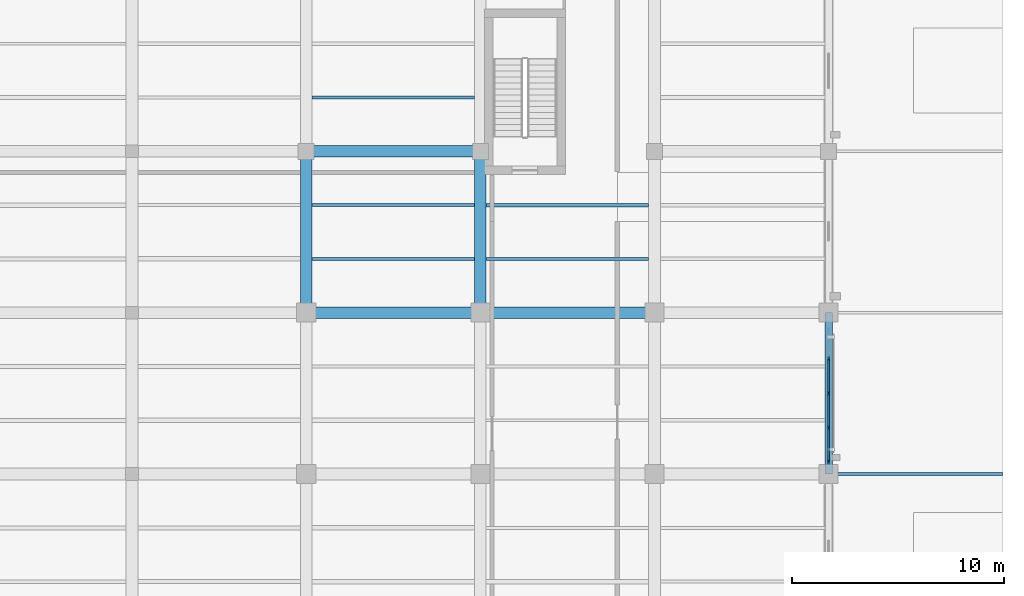
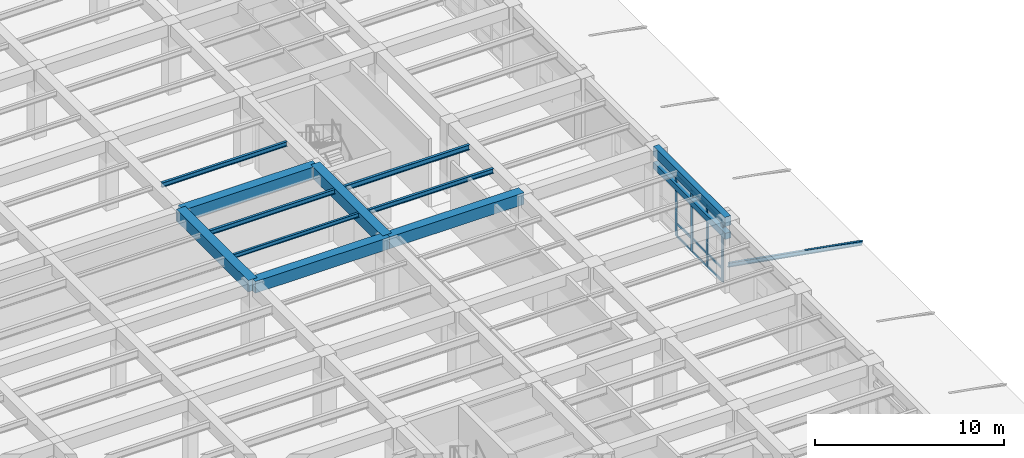
# One storey, part 23 of 57: 14 members, 12 beams, 1 element without a shape of its own.
"""IFC4 building model written with IfcOpenShell, lengths in metres."""

import ifcopenshell
import ifcopenshell.guid

model = None  # the IFC model being written
_history = None  # IfcOwnerHistory: only IFC2X3 demands one
_inside = {}  # id of a spatial element -> (the spatial element, [elements in it])
_under = {}  # id of a project, library or spatial element -> (it, [spatial elements below it])
_declared = {}  # id of a project -> (the project, [libraries it declares])
_typed = {}  # id of a type object -> (the type object, [elements of that type])
_made_of = {}  # id of a material, layer set ... -> (it, [elements and type objects made of it])


def new_model(schema):
    """Start an empty IFC model of exactly this schema.

    Asked for "IFC4X3", IfcOpenShell would pick the latest addendum, in which some entities
    have other attributes; the version numbers below select the first issue.
    IFC2X3 requires an IfcOwnerHistory on every rooted entity: one is made here for all.
    """
    global model, _history
    if schema == "IFC4X3":
        model = ifcopenshell.file(schema_version=(4, 3, 0, 0))
    else:
        model = ifcopenshell.file(schema=schema)
    _inside.clear()
    _under.clear()
    _declared.clear()
    _typed.clear()
    _made_of.clear()
    _history = None
    if model.schema == "IFC2X3":
        org = make("IfcOrganization", Name="unknown")
        user = make(
            "IfcPersonAndOrganization",
            ThePerson=make("IfcPerson", FamilyName="unknown"),
            TheOrganization=org,
        )
        app = make(
            "IfcApplication",
            ApplicationDeveloper=org,
            Version="unknown",
            ApplicationFullName="unknown",
            ApplicationIdentifier="unknown",
        )
        _history = make(
            "IfcOwnerHistory",
            OwningUser=user,
            OwningApplication=app,
            ChangeAction="ADDED",
            CreationDate=0,
        )
    return model


def make(cls, **values):
    """One entity of the class cls with the attributes given. An attribute that is None is left unset."""
    return model.create_entity(
        cls, **{name: value for name, value in values.items() if value is not None}
    )


def rooted(cls, **values):
    """An entity with a GlobalId (a new one), such as an element, a storey or a relation."""
    return make(cls, GlobalId=ifcopenshell.guid.new(), OwnerHistory=_history, **values)


def si_unit(unit_type, name, prefix=None):
    """IfcSIUnit, for example si_unit("LENGTHUNIT", "METRE", prefix="MILLI")."""
    return make("IfcSIUnit", UnitType=unit_type, Prefix=prefix, Name=name)


def assignment(units):
    """IfcUnitAssignment: the units of a project."""
    return None if units is None else make("IfcUnitAssignment", Units=units)


def point(xyz):
    """IfcCartesianPoint."""
    return None if xyz is None else make("IfcCartesianPoint", Coordinates=xyz)


def direction(xyz):
    """IfcDirection."""
    return None if xyz is None else make("IfcDirection", DirectionRatios=xyz)


def frame(location, z_axis=None, x_axis=None):
    """IfcAxis2Placement3D, a coordinate frame: its origin and axes. An axis left out is left unset."""
    return make(
        "IfcAxis2Placement3D",
        Location=point(location),
        Axis=direction(z_axis),
        RefDirection=direction(x_axis),
    )


def frame_2d(location, x_axis=None):
    """IfcAxis2Placement2D, a coordinate frame in the plane: its origin and x axis."""
    return make(
        "IfcAxis2Placement2D", Location=point(location), RefDirection=direction(x_axis)
    )


def origin():
    """The frame at (0, 0, 0) with its axes left unset."""
    return frame((0.0, 0.0, 0.0))


def origin_2d():
    """The frame at (0, 0) in the plane with its x axis left unset."""
    return frame_2d((0.0, 0.0))


def place(relative_to, where):
    """IfcLocalPlacement: puts the frame where relative to a parent placement (None: the world)."""
    return make(
        "IfcLocalPlacement", PlacementRelTo=relative_to, RelativePlacement=where
    )


def context(
    kind, dimensions, precision=None, world=None, true_north=None, identifier=None
):
    """IfcGeometricRepresentationContext, for example the 3D "Model" context."""
    return make(
        "IfcGeometricRepresentationContext",
        ContextIdentifier=identifier,
        ContextType=kind,
        CoordinateSpaceDimension=dimensions,
        Precision=precision,
        WorldCoordinateSystem=world,
        TrueNorth=true_north,
    )


def subcontext(parent, identifier, kind, view, scale=None):
    """IfcGeometricRepresentationSubContext, for example "Body" below "Model"."""
    return make(
        "IfcGeometricRepresentationSubContext",
        ContextIdentifier=identifier,
        ContextType=kind,
        ParentContext=parent,
        TargetScale=scale,
        TargetView=view,
    )


def project(units=None, contexts=None):
    """IfcProject with its units and contexts."""
    return rooted(
        "IfcProject",
        Name="project",
        RepresentationContexts=contexts,
        UnitsInContext=assignment(units),
    )


def spatial(cls, under=None, at=None, **own):
    """A site, building, storey or space (cls), placed at a placement, below another one or the project."""
    s = rooted(cls, ObjectPlacement=at, **own)
    if under is not None:
        _under.setdefault(under.id(), (under, []))[1].append(s)
    return s


def profile(cls, at=None, kind="AREA", **sizes):
    """A parametric profile (cls). Its sizes go by their IFC names, for example OverallWidth=200.0."""
    return make(cls, ProfileType=kind, Position=at, **sizes)


def rectangle(**sizes):
    """IfcRectangleProfileDef."""
    return profile("IfcRectangleProfileDef", **sizes)


def i_section(**sizes):
    """IfcIShapeProfileDef."""
    return profile("IfcIShapeProfileDef", **sizes)


def extrude(swept, where, along, depth):
    """IfcExtrudedAreaSolid: the profile swept, set in the frame where, extruded along a direction by depth."""
    return make(
        "IfcExtrudedAreaSolid",
        SweptArea=swept,
        Position=where,
        ExtrudedDirection=direction(along),
        Depth=depth,
    )


def shape(context_of_items, identifier, shape_type, items):
    """IfcShapeRepresentation: the items that make up one representation, for example the "Body"."""
    return make(
        "IfcShapeRepresentation",
        ContextOfItems=context_of_items,
        RepresentationIdentifier=identifier,
        RepresentationType=shape_type,
        Items=items,
    )


def material(Name=None, Category=None):
    """IfcMaterial."""
    return make("IfcMaterial", Name=Name, Category=Category)


def material_profile(
    of_material, cross_section, Name=None, Category=None, Priority=None
):
    """IfcMaterialProfile: a cross section and its material."""
    return make(
        "IfcMaterialProfile",
        Name=Name,
        Material=of_material,
        Profile=cross_section,
        Priority=Priority,
        Category=Category,
    )


def profile_set(profiles, Name=None, composite=None):
    """IfcMaterialProfileSet."""
    return make(
        "IfcMaterialProfileSet",
        Name=Name,
        MaterialProfiles=profiles,
        CompositeProfile=composite,
    )


def made_of(thing, what):
    """Note that an element or type object is made of a material, layer set ...; save() writes the relation."""
    if what is not None:
        _made_of.setdefault(what.id(), (what, []))[1].append(thing)
    return thing


def type_object(cls, material=None, **own):
    """A type object (cls), such as IfcWallType, which elements share."""
    return made_of(rooted(cls, **own), material)


def element(
    cls,
    number,
    at=None,
    inside=None,
    cuts=None,
    type_object=None,
    material=None,
    context=None,
    identifier="Body",
    shape_type=None,
    held_by="IfcProductDefinitionShape",
    body=None,
    shapes=None,
    **own,
):
    """One element of the class cls, such as IfcWall. Its Tag is "e" and its number.

    at: its placement. inside: the storey or other place that contains it. cuts: it is an
    opening in that element (IfcRelVoidsElement). A single representation is given by context,
    identifier, shape_type and body (its items); several are given by shapes. held_by: the class
    of the entity that holds the representations. save() writes the other relations.
    """
    e = rooted(cls, Tag="e%d" % number, ObjectPlacement=at, **own)
    if body is not None:
        shapes = [shape(context, identifier, shape_type, body)]
    if shapes is not None:
        e.Representation = make(held_by, Representations=shapes)
    if inside is not None:
        _inside.setdefault(inside.id(), (inside, []))[1].append(e)
    if cuts is not None:
        rooted(
            "IfcRelVoidsElement", RelatingBuildingElement=cuts, RelatedOpeningElement=e
        )
    if type_object is not None:
        _typed.setdefault(type_object.id(), (type_object, []))[1].append(e)
    return made_of(e, material)


def aggregate(whole, parts):
    """IfcRelAggregates: a whole, such as a stair, and the parts it consists of."""
    return rooted("IfcRelAggregates", RelatingObject=whole, RelatedObjects=parts)


def save(model, path):
    """Write the relations noted so far, then the file.

    IfcRelAggregates (storeys below a building ...), IfcRelContainedInSpatialStructure (elements
    in a storey), IfcRelDefinesByType, IfcRelAssociatesMaterial and IfcRelDeclares: one each for
    every whole, place, type object, material and project.
    """
    for whole, parts in _under.values():
        aggregate(whole, parts)
    for where, things in _inside.values():
        rooted(
            "IfcRelContainedInSpatialStructure",
            RelatedElements=things,
            RelatingStructure=where,
        )
    for kind, things in _typed.values():
        rooted("IfcRelDefinesByType", RelatedObjects=things, RelatingType=kind)
    for what, things in _made_of.values():
        rooted("IfcRelAssociatesMaterial", RelatedObjects=things, RelatingMaterial=what)
    for by, libraries in _declared.values():
        rooted("IfcRelDeclares", RelatingContext=by, RelatedDefinitions=libraries)
    model.write(path)


model = new_model("IFC4")

# Units and contexts
model_context = context("Model", 3, precision=1e-05, world=origin(), true_north=direction((0.0, 1.0)))
body_context = subcontext(model_context, "Body", "Model", "MODEL_VIEW")
ifc_project = project(units=[si_unit("LENGTHUNIT", "METRE"), si_unit("AREAUNIT", "SQUARE_METRE"), si_unit("VOLUMEUNIT", "CUBIC_METRE"), si_unit("PLANEANGLEUNIT", "RADIAN"), si_unit("MASSUNIT", "GRAM", prefix="KILO")], contexts=[model_context])

# Site, building, storey
site_placement = place(None, origin())
site = spatial("IfcSite", under=ifc_project, at=site_placement, CompositionType="ELEMENT")
building_placement = place(site_placement, origin())
building = spatial("IfcBuilding", under=site, at=building_placement, Name="Qandaris Square Conservatory and Botanical Centre", CompositionType="ELEMENT")
storey_placement = place(building_placement, frame((0.0, 0.0, 5.39990234375)))
storey = spatial("IfcBuildingStorey", under=building, at=storey_placement, Name="L01", CompositionType="ELEMENT", Elevation=5.39990234375)

# Beams
ifc_material_1 = material(Name="Steel S355", Category="steel")
ifc_material_profile_1 = material_profile(ifc_material_1, i_section(OverallWidth=0.14990234375, OverallDepth=0.300048828125, WebThickness=0.007080078125, FlangeThickness=0.0107421875, FilletRadius=0.014892578125, at=origin_2d()), Name="IPE 300")
ifc_profile_set_1 = profile_set([ifc_material_profile_1], Name="Steel S355")
beam_type_1 = type_object("IfcBeamType", Name="Composite Lab Joist IPE 300", PredefinedType="JOIST", material=ifc_profile_set_1)
for number, where, z_axis, x_axis, name in (
    (1, (139.47509765625, 67.2666015625, 4.360107421875), (1.0, 0.0, 0.0), (0.0, 1.0, 0.0), "L01 Composite Joist 1241"),
    (2, (139.47509765625, 72.333251953125, 4.360107421875), (1.0, 0.0, 0.0), (0.0, 1.0, 0.0), "L01 Composite Joist 1242"),
    (3, (147.675048828125, 64.7333984375, 4.360107421875), (1.0, 0.0, 0.0), (0.0, 1.0, 0.0), "L01 Composite Joist 1259"),
):
    element("IfcBeam", number, at=place(storey_placement, frame(where, z_axis=z_axis, x_axis=x_axis)), inside=storey, type_object=beam_type_1, Name=name, PredefinedType="JOIST", context=body_context, shape_type="SweptSolid", body=[
        extrude(i_section(OverallWidth=0.14990234375, OverallDepth=0.300048828125, WebThickness=0.007080078125, FlangeThickness=0.0107421875, FilletRadius=0.014892578125, at=origin_2d()), origin(), (0.0, 0.0, 1.0), 7.64990234375),
    ])
ifc_material_profile_2 = material_profile(ifc_material_1, i_section(OverallWidth=0.159912109375, OverallDepth=0.330078125, WebThickness=0.007568359375, FlangeThickness=0.011474609375, FilletRadius=0.01806640625, at=origin_2d()), Name="IPE 330")
ifc_profile_set_2 = profile_set([ifc_material_profile_2], Name="Steel S355")
beam_type_2 = type_object("IfcBeamType", Name="Composite Lab Joist IPE 330", PredefinedType="JOIST", material=ifc_profile_set_2)
beam_1_placement = place(storey_placement, frame((147.675048828125, 67.2666015625, 4.34521484375), z_axis=(1.0, 0.0, 0.0), x_axis=(0.0, 1.0, 0.0)))
element("IfcBeam", 4, at=beam_1_placement, inside=storey, type_object=beam_type_2, Name="L01 Composite Joist 1260", PredefinedType="JOIST", context=body_context, shape_type="SweptSolid", body=[
    extrude(i_section(OverallWidth=0.159912109375, OverallDepth=0.330078125, WebThickness=0.007568359375, FlangeThickness=0.011474609375, FilletRadius=0.01806640625, at=origin_2d()), origin(), (0.0, 0.0, 1.0), 7.64990234375),
])

# Curtain wall, members
ifc_material_2 = material(Name="Anodised Aluminium", Category="aluminium")
curtain_wall_type = type_object("IfcCurtainWallType", Name="Unitised Curtain Wall CW-4-650x394", PredefinedType="USERDEFINED", material=ifc_material_2)
curtain_wall_placement = place(storey_placement, origin())
curtain_wall = element("IfcCurtainWall", 5, at=curtain_wall_placement, inside=storey, type_object=curtain_wall_type, Name="Curtain Wall CW-TWR-L01-2-6", ObjectType="GLAZED CURTAIN WALL", PredefinedType="USERDEFINED")
ifc_material_profile_3 = material_profile(ifc_material_2, rectangle(XDim=0.06494140625, YDim=0.179931640625, at=origin_2d()), Name="ALU-MUL 65x180")
ifc_profile_set_3 = profile_set([ifc_material_profile_3], Name="Anodised Aluminium")
member_type_1 = type_object("IfcMemberType", Name="Curtain Wall Mullion 65x180", PredefinedType="MULLION", material=ifc_profile_set_3)
member_1_placement = place(storey_placement, frame((163.800048828125, 55.1826171875, 0.0), z_axis=(0.0, 0.0, 1.0), x_axis=(-1.0, 0.0, 0.0)))
member_1 = element("IfcMember", 6, at=member_1_placement, type_object=member_type_1, Name="CW-4-650x394 mullion 1", PredefinedType="MULLION", context=body_context, shape_type="SweptSolid", body=[
    extrude(rectangle(XDim=0.06494140625, YDim=0.179931640625, at=origin_2d()), origin(), (0.0, 0.0, 1.0), 3.945068359375),
])
member_2_placement = place(storey_placement, frame((163.800048828125, 56.77490234375, 0.0), z_axis=(0.0, 0.0, 1.0), x_axis=(-1.0, 0.0, 0.0)))
member_2 = element("IfcMember", 7, at=member_2_placement, type_object=member_type_1, Name="CW-4-650x394 mullion 2", PredefinedType="MULLION", context=body_context, shape_type="SweptSolid", body=[
    extrude(rectangle(XDim=0.06494140625, YDim=0.179931640625, at=origin_2d()), origin(), (0.0, 0.0, 1.0), 3.945068359375),
])
member_3_placement = place(storey_placement, frame((163.800048828125, 58.39990234375, 0.0), z_axis=(0.0, 0.0, 1.0), x_axis=(-1.0, 0.0, 0.0)))
member_3 = element("IfcMember", 8, at=member_3_placement, type_object=member_type_1, Name="CW-4-650x394 mullion 3", PredefinedType="MULLION", context=body_context, shape_type="SweptSolid", body=[
    extrude(rectangle(XDim=0.06494140625, YDim=0.179931640625, at=origin_2d()), origin(), (0.0, 0.0, 1.0), 3.945068359375),
])
member_4_placement = place(storey_placement, frame((163.800048828125, 60.02490234375, 0.0), z_axis=(0.0, 0.0, 1.0), x_axis=(-1.0, 0.0, 0.0)))
member_4 = element("IfcMember", 9, at=member_4_placement, type_object=member_type_1, Name="CW-4-650x394 mullion 4", PredefinedType="MULLION", context=body_context, shape_type="SweptSolid", body=[
    extrude(rectangle(XDim=0.06494140625, YDim=0.179931640625, at=origin_2d()), origin(), (0.0, 0.0, 1.0), 3.945068359375),
])
ifc_material_profile_4 = material_profile(ifc_material_2, rectangle(XDim=0.06494140625, YDim=0.139892578125, at=origin_2d()), Name="ALU-TRN 65x140")
ifc_profile_set_4 = profile_set([ifc_material_profile_4], Name="Anodised Aluminium")
member_type_2 = type_object("IfcMemberType", Name="Curtain Wall Transom 65x140", PredefinedType="USERDEFINED", material=ifc_profile_set_4)
member_5_placement = place(storey_placement, frame((163.800048828125, 55.215087890625, 0.03271484375), z_axis=(0.0, 1.0, 0.0), x_axis=(-1.0, 0.0, 0.0)))
member_5 = element("IfcMember", 10, at=member_5_placement, type_object=member_type_2, Name="CW-4-650x394 transom 1.1", ObjectType="TRANSOM", PredefinedType="USERDEFINED", context=body_context, shape_type="SweptSolid", body=[
    extrude(rectangle(XDim=0.06494140625, YDim=0.139892578125, at=origin_2d()), origin(), (0.0, 0.0, 1.0), 1.52734375),
])
member_6_placement = place(storey_placement, frame((163.800048828125, 55.215087890625, 0.85009765625), z_axis=(0.0, 1.0, 0.0), x_axis=(-1.0, 0.0, 0.0)))
member_6 = element("IfcMember", 11, at=member_6_placement, type_object=member_type_2, Name="CW-4-650x394 transom 1.2", ObjectType="TRANSOM", PredefinedType="USERDEFINED", context=body_context, shape_type="SweptSolid", body=[
    extrude(rectangle(XDim=0.06494140625, YDim=0.139892578125, at=origin_2d()), origin(), (0.0, 0.0, 1.0), 1.52734375),
])
member_7_placement = place(storey_placement, frame((163.800048828125, 55.215087890625, 3.91259765625), z_axis=(0.0, 1.0, 0.0), x_axis=(-1.0, 0.0, 0.0)))
member_7 = element("IfcMember", 12, at=member_7_placement, type_object=member_type_2, Name="CW-4-650x394 transom 1.3", ObjectType="TRANSOM", PredefinedType="USERDEFINED", context=body_context, shape_type="SweptSolid", body=[
    extrude(rectangle(XDim=0.06494140625, YDim=0.139892578125, at=origin_2d()), origin(), (0.0, 0.0, 1.0), 1.52734375),
])
member_8_placement = place(storey_placement, frame((163.800048828125, 56.8076171875, 0.03271484375), z_axis=(0.0, 1.0, 0.0), x_axis=(-1.0, 0.0, 0.0)))
member_8 = element("IfcMember", 13, at=member_8_placement, type_object=member_type_2, Name="CW-4-650x394 transom 2.1", ObjectType="TRANSOM", PredefinedType="USERDEFINED", context=body_context, shape_type="SweptSolid", body=[
    extrude(rectangle(XDim=0.06494140625, YDim=0.139892578125, at=origin_2d()), origin(), (0.0, 0.0, 1.0), 1.559814453125),
])
member_9_placement = place(storey_placement, frame((163.800048828125, 56.8076171875, 0.85009765625), z_axis=(0.0, 1.0, 0.0), x_axis=(-1.0, 0.0, 0.0)))
member_9 = element("IfcMember", 14, at=member_9_placement, type_object=member_type_2, Name="CW-4-650x394 transom 2.2", ObjectType="TRANSOM", PredefinedType="USERDEFINED", context=body_context, shape_type="SweptSolid", body=[
    extrude(rectangle(XDim=0.06494140625, YDim=0.139892578125, at=origin_2d()), origin(), (0.0, 0.0, 1.0), 1.559814453125),
])
member_10_placement = place(storey_placement, frame((163.800048828125, 56.8076171875, 3.91259765625), z_axis=(0.0, 1.0, 0.0), x_axis=(-1.0, 0.0, 0.0)))
member_10 = element("IfcMember", 15, at=member_10_placement, type_object=member_type_2, Name="CW-4-650x394 transom 2.3", ObjectType="TRANSOM", PredefinedType="USERDEFINED", context=body_context, shape_type="SweptSolid", body=[
    extrude(rectangle(XDim=0.06494140625, YDim=0.139892578125, at=origin_2d()), origin(), (0.0, 0.0, 1.0), 1.559814453125),
])
member_11_placement = place(storey_placement, frame((163.800048828125, 58.4326171875, 0.03271484375), z_axis=(0.0, 1.0, 0.0), x_axis=(-1.0, 0.0, 0.0)))
member_11 = element("IfcMember", 16, at=member_11_placement, type_object=member_type_2, Name="CW-4-650x394 transom 3.1", ObjectType="TRANSOM", PredefinedType="USERDEFINED", context=body_context, shape_type="SweptSolid", body=[
    extrude(rectangle(XDim=0.06494140625, YDim=0.139892578125, at=origin_2d()), origin(), (0.0, 0.0, 1.0), 1.559814453125),
])
member_12_placement = place(storey_placement, frame((163.800048828125, 58.4326171875, 0.85009765625), z_axis=(0.0, 1.0, 0.0), x_axis=(-1.0, 0.0, 0.0)))
member_12 = element("IfcMember", 17, at=member_12_placement, type_object=member_type_2, Name="CW-4-650x394 transom 3.2", ObjectType="TRANSOM", PredefinedType="USERDEFINED", context=body_context, shape_type="SweptSolid", body=[
    extrude(rectangle(XDim=0.06494140625, YDim=0.139892578125, at=origin_2d()), origin(), (0.0, 0.0, 1.0), 1.559814453125),
])
member_13_placement = place(storey_placement, frame((163.800048828125, 58.4326171875, 3.91259765625), z_axis=(0.0, 1.0, 0.0), x_axis=(-1.0, 0.0, 0.0)))
member_13 = element("IfcMember", 18, at=member_13_placement, type_object=member_type_2, Name="CW-4-650x394 transom 3.3", ObjectType="TRANSOM", PredefinedType="USERDEFINED", context=body_context, shape_type="SweptSolid", body=[
    extrude(rectangle(XDim=0.06494140625, YDim=0.139892578125, at=origin_2d()), origin(), (0.0, 0.0, 1.0), 1.559814453125),
])
aggregate(curtain_wall, [member_1, member_2, member_3, member_4, member_5, member_6, member_7, member_8, member_9, member_10, member_11, member_12, member_13])

# Beams
ifc_material_3 = material(Name="Precast concrete C40/50", Category="concrete")
ifc_material_profile_5 = material_profile(ifc_material_3, rectangle(XDim=0.35009765625, YDim=0.39990234375, at=origin_2d()), Name="RC-LN 350x400")
ifc_profile_set_5 = profile_set([ifc_material_profile_5], Name="Precast concrete C40/50")
beam_type_3 = type_object("IfcBeamType", Name="Precast Opening Lintel 350x400", PredefinedType="LINTEL", material=ifc_profile_set_5)
beam_2_placement = place(storey_placement, frame((163.800048828125, 54.60009765625, 3.320068359375), z_axis=(0.0, 1.0, 0.0), x_axis=(-1.0, 0.0, 0.0)))
element("IfcBeam", 19, at=beam_2_placement, inside=storey, type_object=beam_type_3, Name="Precast Lintel 019", PredefinedType="LINTEL", context=body_context, shape_type="SweptSolid", body=[
    extrude(rectangle(XDim=0.35009765625, YDim=0.39990234375, at=origin_2d()), origin(), (0.0, 0.0, 1.0), 7.599853515625),
])
ifc_material_4 = material(Name="Concrete C50/60", Category="concrete")
ifc_material_profile_6 = material_profile(ifc_material_4, rectangle(XDim=0.35009765625, YDim=0.60009765625, at=origin_2d()), Name="RC-SP 350x600")
ifc_profile_set_6 = profile_set([ifc_material_profile_6], Name="Concrete C50/60")
beam_type_4 = type_object("IfcBeamType", Name="RC Edge Spandrel Beam 350x600", PredefinedType="SPANDREL", material=ifc_profile_set_6)
beam_3_placement = place(storey_placement, frame((163.800048828125, 54.60009765625, 4.2451171875), z_axis=(0.0, 1.0, 0.0), x_axis=(-1.0, 0.0, 0.0)))
element("IfcBeam", 20, at=beam_3_placement, inside=storey, type_object=beam_type_4, Name="L01 Frame Beam 1148", PredefinedType="SPANDREL", context=body_context, shape_type="SweptSolid", body=[
    extrude(rectangle(XDim=0.35009765625, YDim=0.60009765625, at=origin_2d()), origin(), (0.0, 0.0, 1.0), 7.599853515625),
])
ifc_material_profile_7 = material_profile(ifc_material_4, rectangle(XDim=0.550048828125, YDim=0.75, at=origin_2d()), Name="RC-BM 550x750")
ifc_profile_set_7 = profile_set([ifc_material_profile_7], Name="Concrete C50/60")
beam_type_5 = type_object("IfcBeamType", Name="RC Plinth Girder 550x750", PredefinedType="BEAM", material=ifc_profile_set_7)
beam_4_placement = place(storey_placement, frame((139.199951171875, 62.199951171875, 4.14501953125), z_axis=(1.0, 0.0, 0.0), x_axis=(0.0, 1.0, 0.0)))
element("IfcBeam", 21, at=beam_4_placement, inside=storey, type_object=beam_type_5, Name="L01 Frame Beam 0963", PredefinedType="BEAM", context=body_context, shape_type="SweptSolid", body=[
    extrude(rectangle(XDim=0.550048828125, YDim=0.75, at=origin_2d()), origin(), (0.0, 0.0, 1.0), 8.199951171875),
])
beam_5_placement = place(storey_placement, frame((147.39990234375, 62.199951171875, 4.14501953125), z_axis=(1.0, 0.0, 0.0), x_axis=(0.0, 1.0, 0.0)))
element("IfcBeam", 22, at=beam_5_placement, inside=storey, type_object=beam_type_5, Name="L01 Frame Beam 0964", PredefinedType="BEAM", context=body_context, shape_type="SweptSolid", body=[
    extrude(rectangle(XDim=0.550048828125, YDim=0.75, at=origin_2d()), origin(), (0.0, 0.0, 1.0), 8.2001953125),
])
beam_6_placement = place(storey_placement, frame((139.199951171875, 69.800048828125, 4.14501953125), z_axis=(1.0, 0.0, 0.0), x_axis=(0.0, 1.0, 0.0)))
element("IfcBeam", 23, at=beam_6_placement, inside=storey, type_object=beam_type_5, Name="L01 Frame Beam 0969", PredefinedType="BEAM", context=body_context, shape_type="SweptSolid", body=[
    extrude(rectangle(XDim=0.550048828125, YDim=0.75, at=origin_2d()), origin(), (0.0, 0.0, 1.0), 8.199951171875),
])
for number, where, z_axis, x_axis, name in (
    (24, (139.199951171875, 62.199951171875, 4.14501953125), (0.0, 1.0, 0.0), (-1.0, 0.0, 0.0), "L01 Frame Beam 1113"),
    (25, (147.39990234375, 62.199951171875, 4.14501953125), (0.0, 1.0, 0.0), (-1.0, 0.0, 0.0), "L01 Frame Beam 1125"),
):
    element("IfcBeam", number, at=place(storey_placement, frame(where, z_axis=z_axis, x_axis=x_axis)), inside=storey, type_object=beam_type_5, Name=name, PredefinedType="BEAM", context=body_context, shape_type="SweptSolid", body=[
        extrude(rectangle(XDim=0.550048828125, YDim=0.75, at=origin_2d()), origin(), (0.0, 0.0, 1.0), 7.60009765625),
    ])
ifc_material_profile_8 = material_profile(ifc_material_1, i_section(OverallWidth=0.135009765625, OverallDepth=0.27001953125, WebThickness=0.006591796875, FlangeThickness=0.01025390625, FilletRadius=0.014892578125, at=origin_2d()), Name="IPE 270")
ifc_profile_set_8 = profile_set([ifc_material_profile_8], Name="Steel S355")
beam_type_6 = type_object("IfcBeamType", Name="Steel Floor Joist IPE 270", PredefinedType="JOIST", material=ifc_profile_set_8)
beam_7_placement = place(storey_placement, frame((139.47509765625, 64.7333984375, 4.375), z_axis=(1.0, 0.0, 0.0), x_axis=(0.0, 1.0, 0.0)))
element("IfcBeam", 26, at=beam_7_placement, inside=storey, type_object=beam_type_6, Name="L01 Composite Joist 1240", PredefinedType="JOIST", context=body_context, shape_type="SweptSolid", body=[
    extrude(i_section(OverallWidth=0.135009765625, OverallDepth=0.27001953125, WebThickness=0.006591796875, FlangeThickness=0.01025390625, FilletRadius=0.014892578125, at=origin_2d()), origin(), (0.0, 0.0, 1.0), 7.64990234375),
])

# Member
ifc_material_profile_9 = material_profile(ifc_material_1, i_section(OverallWidth=0.135009765625, OverallDepth=0.27001953125, WebThickness=0.006591796875, FlangeThickness=0.01025390625, FilletRadius=0.014892578125, at=origin_2d()), Name="IPE 270")
ifc_profile_set_9 = profile_set([ifc_material_profile_9], Name="Steel S355")
member_type_3 = type_object("IfcMemberType", Name="Visitor Wing Prairie Rafter IPE 270", PredefinedType="RAFTER", material=ifc_profile_set_9)
member_14_placement = place(storey_placement, frame((172.0, 54.60009765625, 0.0), z_axis=(-0.984924346364, 0.0, 0.172985640849), x_axis=(0.0, -1.0, 0.0)))
element("IfcMember", 27, at=member_14_placement, inside=storey, type_object=member_type_3, Name="Colonnade East Rafter 045", PredefinedType="RAFTER", context=body_context, shape_type="SweptSolid", body=[
    extrude(i_section(OverallWidth=0.135009765625, OverallDepth=0.27001953125, WebThickness=0.006591796875, FlangeThickness=0.01025390625, FilletRadius=0.014892578125, at=origin_2d()), origin(), (0.0, 0.0, 1.0), 8.325439453125),
])

save(model, "model.ifc")
